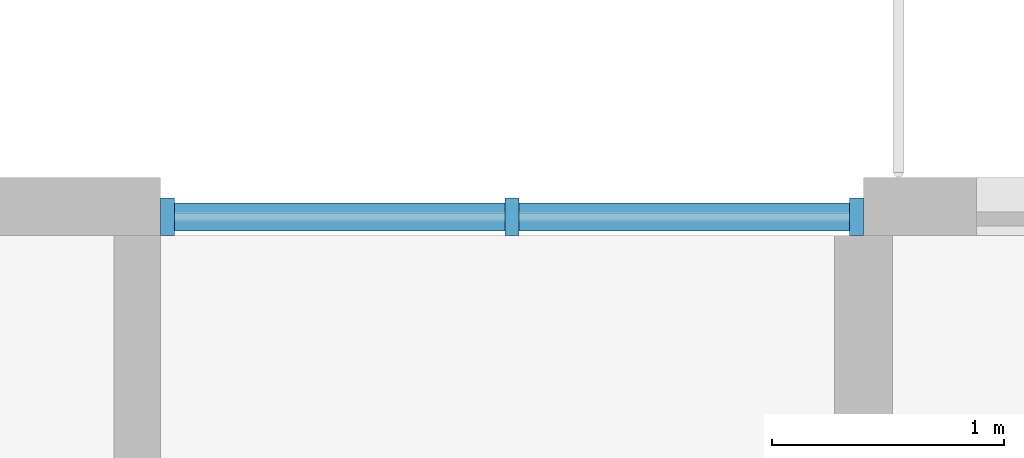
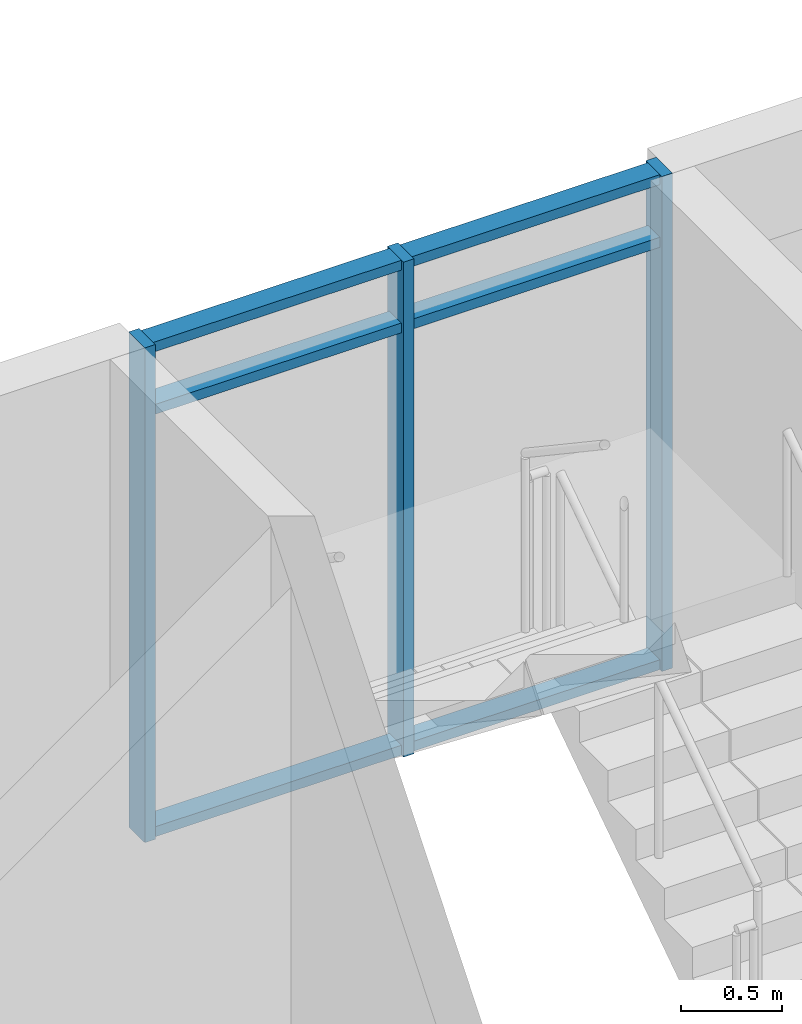
# One storey, part 16 of 64: 9 members, 1 element without a shape of its own.
"""IFC4 building model written with IfcOpenShell, lengths in metres."""

from ifc_helpers import new_model, si_unit, direction, frame, origin, origin_2d, place, context, subcontext, project, spatial, rectangle, extrude, material, material_profile, profile_set, type_object, element, aggregate, save


model = new_model("IFC4")

# Units and contexts
model_context = context("Model", 3, precision=1e-05, world=origin(), true_north=direction((0.0, 1.0)))
body_context = subcontext(model_context, "Body", "Model", "MODEL_VIEW")
ifc_project = project(units=[si_unit("LENGTHUNIT", "METRE"), si_unit("AREAUNIT", "SQUARE_METRE"), si_unit("VOLUMEUNIT", "CUBIC_METRE"), si_unit("PLANEANGLEUNIT", "RADIAN"), si_unit("MASSUNIT", "GRAM", prefix="KILO")], contexts=[model_context])

# Site, building, storey
site_placement = place(None, origin())
site = spatial("IfcSite", under=ifc_project, at=site_placement, CompositionType="ELEMENT")
building_placement = place(site_placement, origin())
building = spatial("IfcBuilding", under=site, at=building_placement, Name="Ridgestep Commons", CompositionType="ELEMENT")
storey_placement = place(building_placement, frame((0.0, 0.0, 33.0)))
storey = spatial("IfcBuildingStorey", under=building, at=storey_placement, Name="L11", CompositionType="ELEMENT", Elevation=33.0)

# Curtain wall, members
ifc_material_1 = material(Name="Aluminium 6063-T6 and glass", Category="aluminium")
curtain_wall_type = type_object("IfcCurtainWallType", Name="Curtain wall stair strip", PredefinedType="NOTDEFINED", material=ifc_material_1)
curtain_wall_placement = place(storey_placement, origin())
curtain_wall = element("IfcCurtainWall", 1, at=curtain_wall_placement, inside=storey, type_object=curtain_wall_type, Name="Curtain wall C3C level 11", PredefinedType="NOTDEFINED")
ifc_material_2 = material(Name="Aluminium 6063-T6", Category="aluminium")
ifc_material_profile_1 = material_profile(ifc_material_2, rectangle(XDim=0.159912109375, YDim=0.06005859375, at=origin_2d()), Name="Mullion 60 x 160")
ifc_profile_set_1 = profile_set([ifc_material_profile_1], Name="Aluminium 6063-T6")
member_type_1 = type_object("IfcMemberType", Name="Mullion 60 x 160", PredefinedType="MULLION", material=ifc_profile_set_1)
member_1_placement = place(storey_placement, frame((183.405029296875, 77.080078125, 0.0), z_axis=(0.0, 0.0, 1.0), x_axis=(0.0, 1.0, 0.0)))
member_1 = element("IfcMember", 2, at=member_1_placement, type_object=member_type_1, Name="CW1 mullion 1", PredefinedType="MULLION", context=body_context, shape_type="SweptSolid", body=[
    extrude(rectangle(XDim=0.159912109375, YDim=0.06005859375, at=origin_2d()), origin(), (0.0, 0.0, 1.0), 3.0),
])
member_2_placement = place(storey_placement, frame((184.887451171875, 77.080078125, 0.0), z_axis=(0.0, 0.0, 1.0), x_axis=(0.0, 1.0, 0.0)))
member_2 = element("IfcMember", 3, at=member_2_placement, type_object=member_type_1, Name="CW1 mullion 2", PredefinedType="MULLION", context=body_context, shape_type="SweptSolid", body=[
    extrude(rectangle(XDim=0.159912109375, YDim=0.06005859375, at=origin_2d()), origin(), (0.0, 0.0, 1.0), 3.0),
])
member_3_placement = place(storey_placement, frame((186.3701171875, 77.080078125, 0.0), z_axis=(0.0, 0.0, 1.0), x_axis=(0.0, 1.0, 0.0)))
member_3 = element("IfcMember", 4, at=member_3_placement, type_object=member_type_1, Name="CW1 mullion 3", PredefinedType="MULLION", context=body_context, shape_type="SweptSolid", body=[
    extrude(rectangle(XDim=0.159912109375, YDim=0.06005859375, at=origin_2d()), origin(), (0.0, 0.0, 1.0), 3.0),
])
ifc_material_3 = material(Name="Aluminium 6063-T6", Category="aluminium")
ifc_material_profile_2 = material_profile(ifc_material_3, rectangle(XDim=0.1201171875, YDim=0.06005859375, at=origin_2d()), Name="Transom 60 x 120")
ifc_profile_set_2 = profile_set([ifc_material_profile_2], Name="Aluminium 6063-T6")
member_type_2 = type_object("IfcMemberType", Name="Transom 60 x 120", PredefinedType="USERDEFINED", material=ifc_profile_set_2)
member_4_placement = place(storey_placement, frame((183.43505859375, 77.080078125, 0.030029296875), z_axis=(1.0, 0.0, 0.0), x_axis=(0.0, 1.0, 0.0)))
member_4 = element("IfcMember", 5, at=member_4_placement, type_object=member_type_2, Name="CW1 transom 1.1", ObjectType="TRANSOM", PredefinedType="USERDEFINED", context=body_context, shape_type="SweptSolid", body=[
    extrude(rectangle(XDim=0.1201171875, YDim=0.06005859375, at=origin_2d()), origin(), (0.0, 0.0, 1.0), 1.42236328125),
])
member_5_placement = place(storey_placement, frame((183.43505859375, 77.080078125, 2.590087890625), z_axis=(1.0, 0.0, 0.0), x_axis=(0.0, 1.0, 0.0)))
member_5 = element("IfcMember", 6, at=member_5_placement, type_object=member_type_2, Name="CW1 transom 1.2", ObjectType="TRANSOM", PredefinedType="USERDEFINED", context=body_context, shape_type="SweptSolid", body=[
    extrude(rectangle(XDim=0.1201171875, YDim=0.06005859375, at=origin_2d()), origin(), (0.0, 0.0, 1.0), 1.42236328125),
])
member_6_placement = place(storey_placement, frame((183.43505859375, 77.080078125, 2.969970703125), z_axis=(1.0, 0.0, 0.0), x_axis=(0.0, 1.0, 0.0)))
member_6 = element("IfcMember", 7, at=member_6_placement, type_object=member_type_2, Name="CW1 transom 1.3", ObjectType="TRANSOM", PredefinedType="USERDEFINED", context=body_context, shape_type="SweptSolid", body=[
    extrude(rectangle(XDim=0.1201171875, YDim=0.06005859375, at=origin_2d()), origin(), (0.0, 0.0, 1.0), 1.42236328125),
])
member_7_placement = place(storey_placement, frame((184.91748046875, 77.080078125, 0.030029296875), z_axis=(1.0, 0.0, 0.0), x_axis=(0.0, 1.0, 0.0)))
member_7 = element("IfcMember", 8, at=member_7_placement, type_object=member_type_2, Name="CW1 transom 2.1", ObjectType="TRANSOM", PredefinedType="USERDEFINED", context=body_context, shape_type="SweptSolid", body=[
    extrude(rectangle(XDim=0.1201171875, YDim=0.06005859375, at=origin_2d()), origin(), (0.0, 0.0, 1.0), 1.422607421875),
])
member_8_placement = place(storey_placement, frame((184.91748046875, 77.080078125, 2.590087890625), z_axis=(1.0, 0.0, 0.0), x_axis=(0.0, 1.0, 0.0)))
member_8 = element("IfcMember", 9, at=member_8_placement, type_object=member_type_2, Name="CW1 transom 2.2", ObjectType="TRANSOM", PredefinedType="USERDEFINED", context=body_context, shape_type="SweptSolid", body=[
    extrude(rectangle(XDim=0.1201171875, YDim=0.06005859375, at=origin_2d()), origin(), (0.0, 0.0, 1.0), 1.422607421875),
])
member_9_placement = place(storey_placement, frame((184.91748046875, 77.080078125, 2.969970703125), z_axis=(1.0, 0.0, 0.0), x_axis=(0.0, 1.0, 0.0)))
member_9 = element("IfcMember", 10, at=member_9_placement, type_object=member_type_2, Name="CW1 transom 2.3", ObjectType="TRANSOM", PredefinedType="USERDEFINED", context=body_context, shape_type="SweptSolid", body=[
    extrude(rectangle(XDim=0.1201171875, YDim=0.06005859375, at=origin_2d()), origin(), (0.0, 0.0, 1.0), 1.422607421875),
])
aggregate(curtain_wall, [member_1, member_2, member_3, member_4, member_5, member_6, member_7, member_8, member_9])

save(model, "model.ifc")
